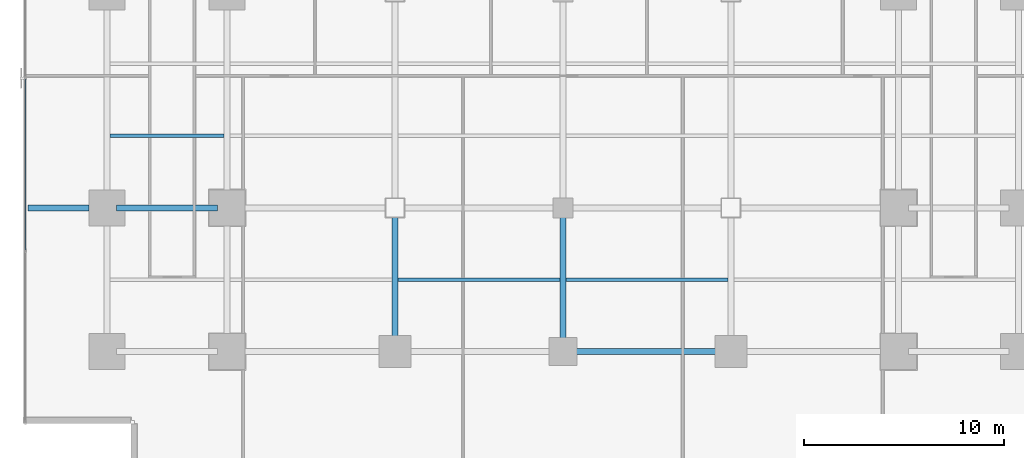
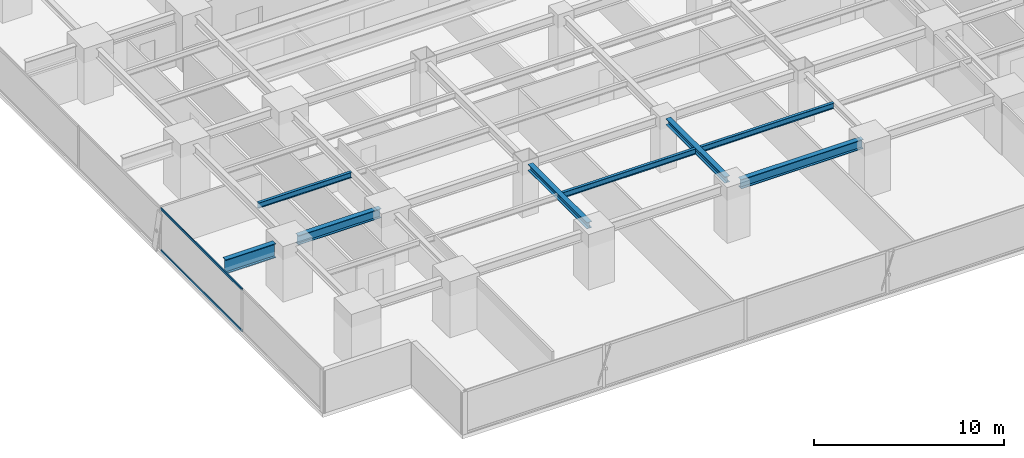
# One storey, part 6 of 33: 8 beams, 2 members, 1 element without a shape of its own.
"""IFC4 building model written with IfcOpenShell, lengths in metres."""

from ifc_helpers import new_model, si_unit, direction, frame, origin, origin_2d, place, context, subcontext, project, spatial, hollow_rectangle, i_section, extrude, source, transform, mapped, material, layer, layer_set, material_profile, profile_set, type_object, element, aggregate, save


model = new_model("IFC4")

# Units and contexts
model_context = context("Model", 3, precision=1e-05, world=origin(), true_north=direction((0.0, 1.0)))
body_context = subcontext(model_context, "Body", "Model", "MODEL_VIEW")
ifc_project = project(units=[si_unit("LENGTHUNIT", "METRE"), si_unit("AREAUNIT", "SQUARE_METRE"), si_unit("VOLUMEUNIT", "CUBIC_METRE"), si_unit("PLANEANGLEUNIT", "RADIAN"), si_unit("MASSUNIT", "GRAM", prefix="KILO")], contexts=[model_context])

# Site, building, storey
site_placement = place(None, origin())
site = spatial("IfcSite", under=ifc_project, at=site_placement, CompositionType="ELEMENT")
building_placement = place(site_placement, origin())
building = spatial("IfcBuilding", under=site, at=building_placement, Name="Sumidabori Civic Tower", CompositionType="ELEMENT")
storey_placement = place(building_placement, frame((0.0, 0.0, 30.800048828125)))
storey = spatial("IfcBuildingStorey", under=building, at=storey_placement, Name="L07", CompositionType="ELEMENT", Elevation=30.800048828125)

# Beams
ifc_material_1 = material(Name="Steel SN490", Category="steel")
ifc_material_profile_1 = material_profile(ifc_material_1, i_section(OverallWidth=0.300048828125, OverallDepth=0.60009765625, WebThickness=0.015380859375, FlangeThickness=0.030029296875, at=origin_2d()), Name="HE 600 B")
ifc_profile_set_1 = profile_set([ifc_material_profile_1], Name="Steel SN490")
beam_type_1 = type_object("IfcBeamType", Name="BM-GIRD-600", PredefinedType="BEAM", material=ifc_profile_set_1)
shared_shape_1 = source(origin(), body_context, "Body", "SweptSolid", [
    extrude(i_section(OverallWidth=0.300048828125, OverallDepth=0.60009765625, WebThickness=0.015380859375, FlangeThickness=0.030029296875, at=origin_2d()), origin(), (0.0, 0.0, 1.0), 5.0400390625),
])
beam_1_placement = place(storey_placement, frame((-22.320068359375, -10.800048828125, 3.06005859375), z_axis=(1.0, 0.0, 0.0), x_axis=(0.0, 1.0, 0.0)))
element("IfcBeam", 1, at=beam_1_placement, inside=storey, type_object=beam_type_1, Name="Primary Girder L07 GX-07", PredefinedType="BEAM", context=body_context, shape_type="MappedRepresentation", body=[
    mapped(shared_shape_1, transform((0.0, 0.0, 0.0), x_axis=(1.0, 0.0, 0.0), y_axis=(0.0, 1.0, 0.0), z_axis=(0.0, 0.0, 1.0), scale=1.0)),
])
shared_shape_2 = source(origin(), body_context, "Body", "SweptSolid", [
    extrude(i_section(OverallWidth=0.300048828125, OverallDepth=0.60009765625, WebThickness=0.015380859375, FlangeThickness=0.030029296875, at=origin_2d()), origin(), (0.0, 0.0, 1.0), 7.43994140625),
])
beam_2_placement = place(storey_placement, frame((0.47998046875, -18.0, 3.06005859375), z_axis=(1.0, 0.0, 0.0), x_axis=(0.0, 1.0, 0.0)))
element("IfcBeam", 2, at=beam_2_placement, inside=storey, type_object=beam_type_1, Name="Primary Girder L07 GX-04", PredefinedType="BEAM", context=body_context, shape_type="MappedRepresentation", body=[
    mapped(shared_shape_2, transform((0.0, 0.0, 0.0), x_axis=(1.0, 0.0, 0.0), y_axis=(0.0, 1.0, 0.0), z_axis=(0.0, 0.0, 1.0), scale=1.0)),
])
ifc_material_profile_2 = material_profile(ifc_material_1, i_section(OverallWidth=0.300048828125, OverallDepth=0.39990234375, WebThickness=0.013427734375, FlangeThickness=0.02392578125, at=origin_2d()), Name="HE 400 B")
ifc_profile_set_2 = profile_set([ifc_material_profile_2], Name="Steel SN490")
beam_type_2 = type_object("IfcBeamType", Name="BM-GIRD-400", PredefinedType="BEAM", material=ifc_profile_set_2)
shared_shape_3 = source(origin(), body_context, "Body", "SweptSolid", [
    extrude(i_section(OverallWidth=0.300048828125, OverallDepth=0.39990234375, WebThickness=0.013427734375, FlangeThickness=0.02392578125, at=origin_2d()), origin(), (0.0, 0.0, 1.0), 6.239990234375),
])
for number, where, z_axis, x_axis, name in (
    (3, (-8.39990234375, -17.52001953125, 3.159912109375), (0.0, 1.0, 0.0), (-1.0, 0.0, 0.0), "Primary Girder L07 GY-29"),
    (4, (0.0, -17.52001953125, 3.159912109375), (0.0, 1.0, 0.0), (-1.0, 0.0, 0.0), "Primary Girder L07 GY-31"),
):
    element("IfcBeam", number, at=place(storey_placement, frame(where, z_axis=z_axis, x_axis=x_axis)), inside=storey, type_object=beam_type_2, Name=name, PredefinedType="BEAM", context=body_context, shape_type="MappedRepresentation", body=[
        mapped(shared_shape_3, transform((0.0, 0.0, 0.0), x_axis=(1.0, 0.0, 0.0), y_axis=(0.0, 1.0, 0.0), z_axis=(0.0, 0.0, 1.0), scale=1.0)),
    ])
ifc_material_profile_3 = material_profile(ifc_material_1, i_section(OverallWidth=0.302001953125, OverallDepth=0.909912109375, WebThickness=0.02099609375, FlangeThickness=0.0400390625, at=origin_2d()), Name="HE 900 M")
ifc_profile_set_3 = profile_set([ifc_material_profile_3], Name="Steel SN490")
beam_type_3 = type_object("IfcBeamType", Name="BM-Z1-EDGE", PredefinedType="SPANDREL", material=ifc_profile_set_3)
shared_shape_4 = source(origin(), body_context, "Body", "SweptSolid", [
    extrude(i_section(OverallWidth=0.302001953125, OverallDepth=0.909912109375, WebThickness=0.02099609375, FlangeThickness=0.0400390625, at=origin_2d()), origin(), (0.0, 0.0, 1.0), 3.050048828125),
])
beam_3_placement = place(storey_placement, frame((-26.75, -10.800048828125, 2.905029296875), z_axis=(1.0, 0.0, 0.0), x_axis=(0.0, 1.0, 0.0)))
element("IfcBeam", 5, at=beam_3_placement, inside=storey, type_object=beam_type_3, Name="Perimeter Overhang Beam L07 W-44", PredefinedType="SPANDREL", context=body_context, shape_type="MappedRepresentation", body=[
    mapped(shared_shape_4, transform((0.0, 0.0, 0.0), x_axis=(1.0, 0.0, 0.0), y_axis=(0.0, 1.0, 0.0), z_axis=(0.0, 0.0, 1.0), scale=1.0)),
])
ifc_material_profile_4 = material_profile(ifc_material_1, i_section(OverallWidth=0.169921875, OverallDepth=0.360107421875, WebThickness=0.008056640625, FlangeThickness=0.0126953125, at=origin_2d()), Name="IPE 360")
ifc_profile_set_4 = profile_set([ifc_material_profile_4], Name="Steel SN490")
beam_type_4 = type_object("IfcBeamType", Name="BM-JST-360", PredefinedType="JOIST", material=ifc_profile_set_4)
shared_shape_5 = source(origin(), body_context, "Body", "SweptSolid", [
    extrude(i_section(OverallWidth=0.169921875, OverallDepth=0.360107421875, WebThickness=0.008056640625, FlangeThickness=0.0126953125, at=origin_2d()), origin(), (0.0, 0.0, 1.0), 5.699951171875),
])
beam_4_placement = place(storey_placement, frame((-22.64990234375, -7.199951171875, 3.179931640625), z_axis=(1.0, 0.0, 0.0), x_axis=(0.0, 1.0, 0.0)))
element("IfcBeam", 6, at=beam_4_placement, inside=storey, type_object=beam_type_4, Name="Outer Bay Floor Joist L07 JSTO-49", PredefinedType="JOIST", context=body_context, shape_type="MappedRepresentation", body=[
    mapped(shared_shape_5, transform((0.0, 0.0, 0.0), x_axis=(1.0, 0.0, 0.0), y_axis=(0.0, 1.0, 0.0), z_axis=(0.0, 0.0, 1.0), scale=1.0)),
])
shared_shape_6 = source(origin(), body_context, "Body", "SweptSolid", [
    extrude(i_section(OverallWidth=0.169921875, OverallDepth=0.360107421875, WebThickness=0.008056640625, FlangeThickness=0.0126953125, at=origin_2d()), origin(), (0.0, 0.0, 1.0), 8.10009765625),
])
for number, where, z_axis, x_axis, name in (
    (7, (-8.25, -14.39990234375, 3.179931640625), (1.0, 0.0, 0.0), (0.0, 1.0, 0.0), "South Bay Floor Joist L07 JSTS-62"),
    (8, (0.14990234375, -14.39990234375, 3.179931640625), (1.0, 0.0, 0.0), (0.0, 1.0, 0.0), "South Bay Floor Joist L07 JSTS-63"),
):
    element("IfcBeam", number, at=place(storey_placement, frame(where, z_axis=z_axis, x_axis=x_axis)), inside=storey, type_object=beam_type_4, Name=name, PredefinedType="JOIST", context=body_context, shape_type="MappedRepresentation", body=[
        mapped(shared_shape_6, transform((0.0, 0.0, 0.0), x_axis=(1.0, 0.0, 0.0), y_axis=(0.0, 1.0, 0.0), z_axis=(0.0, 0.0, 1.0), scale=1.0)),
    ])

# Curtain wall, members
ifc_material_2 = material(Name="Anodised Bronze Aluminium AW-6063-T6", Category="aluminium")
ifc_layer = layer(ifc_material_2, 0.179931640625, Name="Anodised Bronze Aluminium AW-6063-T6")
ifc_layer_set = layer_set([ifc_layer], Name="Anodised Bronze Aluminium AW-6063-T6")
curtain_wall_type = type_object("IfcCurtainWallType", Name="CW-SYS-2", PredefinedType="NOTDEFINED", material=ifc_layer_set)
curtain_wall_placement = place(storey_placement, origin())
curtain_wall = element("IfcCurtainWall", 9, at=curtain_wall_placement, inside=storey, type_object=curtain_wall_type, Name="Curtain Wall CW:L07:R10", PredefinedType="NOTDEFINED")
ifc_material_profile_5 = material_profile(ifc_material_2, hollow_rectangle(XDim=0.06494140625, YDim=0.14990234375, WallThickness=0.0048828125, at=origin_2d()), Name="ALU TRANSOM 150x65")
ifc_profile_set_5 = profile_set([ifc_material_profile_5], Name="Anodised Bronze Aluminium AW-6063-T6")
member_type = type_object("IfcMemberType", Name="CW-TRN-150", PredefinedType="USERDEFINED", material=ifc_profile_set_5)
shared_shape_7 = source(origin(), body_context, "Body", "SweptSolid", [
    extrude(hollow_rectangle(XDim=0.06494140625, YDim=0.14990234375, WallThickness=0.0048828125, at=origin_2d()), origin(), (0.0, 0.0, 1.0), 8.557861328125),
])
member_1_placement = place(storey_placement, frame((-26.8798828125, -4.34912109375, 0.032470703125), z_axis=(0.0, -1.0, 0.0), x_axis=(1.0, 0.0, 0.0)))
member_1 = element("IfcMember", 10, at=member_1_placement, type_object=member_type, Name="CW-2 transom 4.1", ObjectType="TRANSOM", PredefinedType="USERDEFINED", context=body_context, shape_type="MappedRepresentation", body=[
    mapped(shared_shape_7, transform((0.0, 0.0, 0.0), x_axis=(1.0, 0.0, 0.0), y_axis=(0.0, 1.0, 0.0), z_axis=(0.0, 0.0, 1.0), scale=1.0)),
])
member_2_placement = place(storey_placement, frame((-26.8798828125, -4.34912109375, 2.70751953125), z_axis=(0.0, -1.0, 0.0), x_axis=(1.0, 0.0, 0.0)))
member_2 = element("IfcMember", 11, at=member_2_placement, type_object=member_type, Name="CW-2 transom 4.2", ObjectType="TRANSOM", PredefinedType="USERDEFINED", context=body_context, shape_type="MappedRepresentation", body=[
    mapped(shared_shape_7, transform((0.0, 0.0, 0.0), x_axis=(1.0, 0.0, 0.0), y_axis=(0.0, 1.0, 0.0), z_axis=(0.0, 0.0, 1.0), scale=1.0)),
])
aggregate(curtain_wall, [member_1, member_2])

save(model, "model.ifc")
